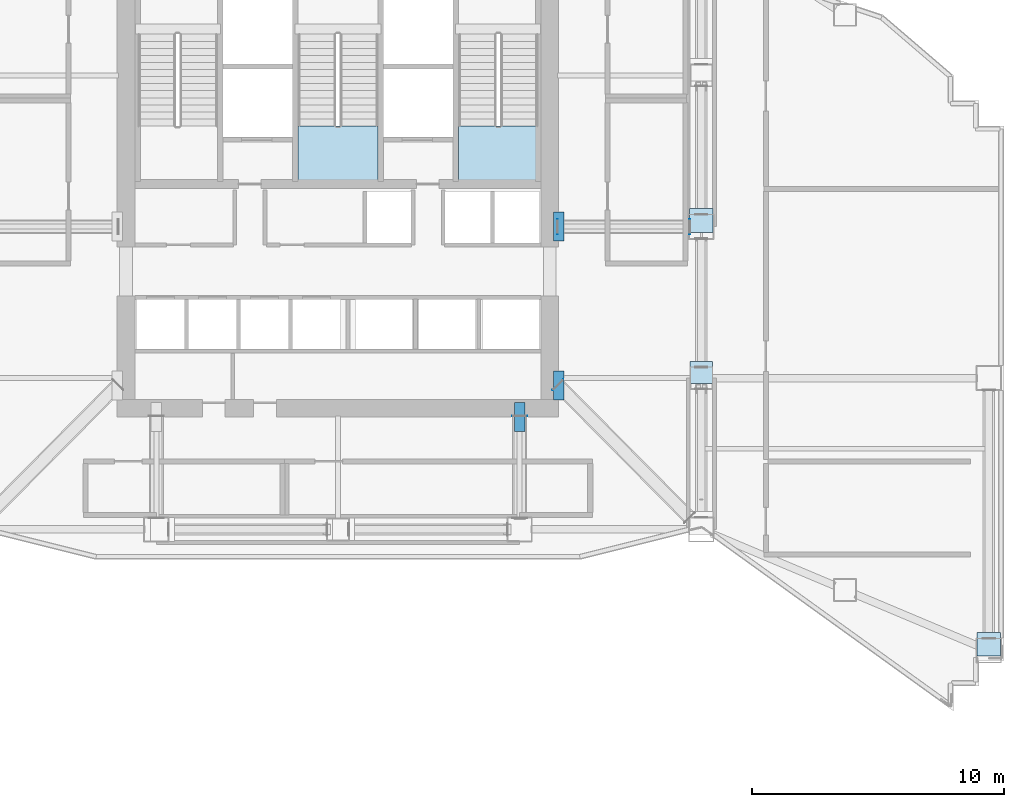
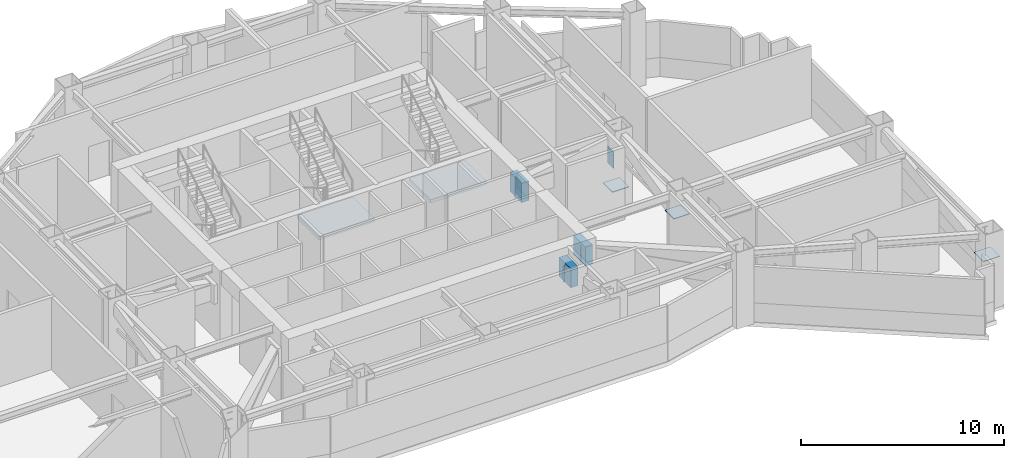
# One storey, part 6 of 24: 10 plates, 2 slabs, 2 elements without a shape of their own.
"""IFC4 building model written with IfcOpenShell, lengths in metres."""

import ifcopenshell
import ifcopenshell.guid

model = None  # the IFC model being written
_history = None  # IfcOwnerHistory: only IFC2X3 demands one
_inside = {}  # id of a spatial element -> (the spatial element, [elements in it])
_under = {}  # id of a project, library or spatial element -> (it, [spatial elements below it])
_declared = {}  # id of a project -> (the project, [libraries it declares])
_typed = {}  # id of a type object -> (the type object, [elements of that type])
_made_of = {}  # id of a material, layer set ... -> (it, [elements and type objects made of it])


def new_model(schema):
    """Start an empty IFC model of exactly this schema.

    Asked for "IFC4X3", IfcOpenShell would pick the latest addendum, in which some entities
    have other attributes; the version numbers below select the first issue.
    IFC2X3 requires an IfcOwnerHistory on every rooted entity: one is made here for all.
    """
    global model, _history
    if schema == "IFC4X3":
        model = ifcopenshell.file(schema_version=(4, 3, 0, 0))
    else:
        model = ifcopenshell.file(schema=schema)
    _inside.clear()
    _under.clear()
    _declared.clear()
    _typed.clear()
    _made_of.clear()
    _history = None
    if model.schema == "IFC2X3":
        org = make("IfcOrganization", Name="unknown")
        user = make(
            "IfcPersonAndOrganization",
            ThePerson=make("IfcPerson", FamilyName="unknown"),
            TheOrganization=org,
        )
        app = make(
            "IfcApplication",
            ApplicationDeveloper=org,
            Version="unknown",
            ApplicationFullName="unknown",
            ApplicationIdentifier="unknown",
        )
        _history = make(
            "IfcOwnerHistory",
            OwningUser=user,
            OwningApplication=app,
            ChangeAction="ADDED",
            CreationDate=0,
        )
    return model


def make(cls, **values):
    """One entity of the class cls with the attributes given. An attribute that is None is left unset."""
    return model.create_entity(
        cls, **{name: value for name, value in values.items() if value is not None}
    )


def rooted(cls, **values):
    """An entity with a GlobalId (a new one), such as an element, a storey or a relation."""
    return make(cls, GlobalId=ifcopenshell.guid.new(), OwnerHistory=_history, **values)


def si_unit(unit_type, name, prefix=None):
    """IfcSIUnit, for example si_unit("LENGTHUNIT", "METRE", prefix="MILLI")."""
    return make("IfcSIUnit", UnitType=unit_type, Prefix=prefix, Name=name)


def assignment(units):
    """IfcUnitAssignment: the units of a project."""
    return None if units is None else make("IfcUnitAssignment", Units=units)


def point(xyz):
    """IfcCartesianPoint."""
    return None if xyz is None else make("IfcCartesianPoint", Coordinates=xyz)


def direction(xyz):
    """IfcDirection."""
    return None if xyz is None else make("IfcDirection", DirectionRatios=xyz)


def frame(location, z_axis=None, x_axis=None):
    """IfcAxis2Placement3D, a coordinate frame: its origin and axes. An axis left out is left unset."""
    return make(
        "IfcAxis2Placement3D",
        Location=point(location),
        Axis=direction(z_axis),
        RefDirection=direction(x_axis),
    )


def frame_2d(location, x_axis=None):
    """IfcAxis2Placement2D, a coordinate frame in the plane: its origin and x axis."""
    return make(
        "IfcAxis2Placement2D", Location=point(location), RefDirection=direction(x_axis)
    )


def origin():
    """The frame at (0, 0, 0) with its axes left unset."""
    return frame((0.0, 0.0, 0.0))


def origin_2d():
    """The frame at (0, 0) in the plane with its x axis left unset."""
    return frame_2d((0.0, 0.0))


def place(relative_to, where):
    """IfcLocalPlacement: puts the frame where relative to a parent placement (None: the world)."""
    return make(
        "IfcLocalPlacement", PlacementRelTo=relative_to, RelativePlacement=where
    )


def context(
    kind, dimensions, precision=None, world=None, true_north=None, identifier=None
):
    """IfcGeometricRepresentationContext, for example the 3D "Model" context."""
    return make(
        "IfcGeometricRepresentationContext",
        ContextIdentifier=identifier,
        ContextType=kind,
        CoordinateSpaceDimension=dimensions,
        Precision=precision,
        WorldCoordinateSystem=world,
        TrueNorth=true_north,
    )


def subcontext(parent, identifier, kind, view, scale=None):
    """IfcGeometricRepresentationSubContext, for example "Body" below "Model"."""
    return make(
        "IfcGeometricRepresentationSubContext",
        ContextIdentifier=identifier,
        ContextType=kind,
        ParentContext=parent,
        TargetScale=scale,
        TargetView=view,
    )


def project(units=None, contexts=None):
    """IfcProject with its units and contexts."""
    return rooted(
        "IfcProject",
        Name="project",
        RepresentationContexts=contexts,
        UnitsInContext=assignment(units),
    )


def spatial(cls, under=None, at=None, **own):
    """A site, building, storey or space (cls), placed at a placement, below another one or the project."""
    s = rooted(cls, ObjectPlacement=at, **own)
    if under is not None:
        _under.setdefault(under.id(), (under, []))[1].append(s)
    return s


def polyline(points):
    """IfcPolyline through the points."""
    return make("IfcPolyline", Points=[point(p) for p in points])


def profile(cls, at=None, kind="AREA", **sizes):
    """A parametric profile (cls). Its sizes go by their IFC names, for example OverallWidth=200.0."""
    return make(cls, ProfileType=kind, Position=at, **sizes)


def rectangle(**sizes):
    """IfcRectangleProfileDef."""
    return profile("IfcRectangleProfileDef", **sizes)


def outline(outer, holes=None, kind="AREA"):
    """IfcArbitraryClosedProfileDef: a profile drawn as a closed curve; with holes, ...WithVoids."""
    if holes is None:
        return make("IfcArbitraryClosedProfileDef", ProfileType=kind, OuterCurve=outer)
    return make(
        "IfcArbitraryProfileDefWithVoids",
        ProfileType=kind,
        OuterCurve=outer,
        InnerCurves=holes,
    )


def extrude(swept, where, along, depth):
    """IfcExtrudedAreaSolid: the profile swept, set in the frame where, extruded along a direction by depth."""
    return make(
        "IfcExtrudedAreaSolid",
        SweptArea=swept,
        Position=where,
        ExtrudedDirection=direction(along),
        Depth=depth,
    )


def shape(context_of_items, identifier, shape_type, items):
    """IfcShapeRepresentation: the items that make up one representation, for example the "Body"."""
    return make(
        "IfcShapeRepresentation",
        ContextOfItems=context_of_items,
        RepresentationIdentifier=identifier,
        RepresentationType=shape_type,
        Items=items,
    )


def material(Name=None, Category=None):
    """IfcMaterial."""
    return make("IfcMaterial", Name=Name, Category=Category)


def layer(
    of_material, thickness, ventilated=None, Name=None, Category=None, Priority=None
):
    """IfcMaterialLayer: one layer of a wall or slab, of a material (None: an air gap)."""
    return make(
        "IfcMaterialLayer",
        Material=of_material,
        LayerThickness=thickness,
        IsVentilated=ventilated,
        Name=Name,
        Category=Category,
        Priority=Priority,
    )


def layer_set(layers, Name=None):
    """IfcMaterialLayerSet."""
    return make("IfcMaterialLayerSet", MaterialLayers=layers, LayerSetName=Name)


def made_of(thing, what):
    """Note that an element or type object is made of a material, layer set ...; save() writes the relation."""
    if what is not None:
        _made_of.setdefault(what.id(), (what, []))[1].append(thing)
    return thing


def type_object(cls, material=None, **own):
    """A type object (cls), such as IfcWallType, which elements share."""
    return made_of(rooted(cls, **own), material)


def element(
    cls,
    number,
    at=None,
    inside=None,
    cuts=None,
    type_object=None,
    material=None,
    context=None,
    identifier="Body",
    shape_type=None,
    held_by="IfcProductDefinitionShape",
    body=None,
    shapes=None,
    **own,
):
    """One element of the class cls, such as IfcWall. Its Tag is "e" and its number.

    at: its placement. inside: the storey or other place that contains it. cuts: it is an
    opening in that element (IfcRelVoidsElement). A single representation is given by context,
    identifier, shape_type and body (its items); several are given by shapes. held_by: the class
    of the entity that holds the representations. save() writes the other relations.
    """
    e = rooted(cls, Tag="e%d" % number, ObjectPlacement=at, **own)
    if body is not None:
        shapes = [shape(context, identifier, shape_type, body)]
    if shapes is not None:
        e.Representation = make(held_by, Representations=shapes)
    if inside is not None:
        _inside.setdefault(inside.id(), (inside, []))[1].append(e)
    if cuts is not None:
        rooted(
            "IfcRelVoidsElement", RelatingBuildingElement=cuts, RelatedOpeningElement=e
        )
    if type_object is not None:
        _typed.setdefault(type_object.id(), (type_object, []))[1].append(e)
    return made_of(e, material)


def aggregate(whole, parts):
    """IfcRelAggregates: a whole, such as a stair, and the parts it consists of."""
    return rooted("IfcRelAggregates", RelatingObject=whole, RelatedObjects=parts)


def save(model, path):
    """Write the relations noted so far, then the file.

    IfcRelAggregates (storeys below a building ...), IfcRelContainedInSpatialStructure (elements
    in a storey), IfcRelDefinesByType, IfcRelAssociatesMaterial and IfcRelDeclares: one each for
    every whole, place, type object, material and project.
    """
    for whole, parts in _under.values():
        aggregate(whole, parts)
    for where, things in _inside.values():
        rooted(
            "IfcRelContainedInSpatialStructure",
            RelatedElements=things,
            RelatingStructure=where,
        )
    for kind, things in _typed.values():
        rooted("IfcRelDefinesByType", RelatedObjects=things, RelatingType=kind)
    for what, things in _made_of.values():
        rooted("IfcRelAssociatesMaterial", RelatedObjects=things, RelatingMaterial=what)
    for by, libraries in _declared.values():
        rooted("IfcRelDeclares", RelatingContext=by, RelatedDefinitions=libraries)
    model.write(path)


model = new_model("IFC4")

# Units and contexts
model_context = context("Model", 3, precision=1e-05, world=origin(), true_north=direction((0.0, 1.0)))
body_context = subcontext(model_context, "Body", "Model", "MODEL_VIEW")
ifc_project = project(units=[si_unit("LENGTHUNIT", "METRE"), si_unit("AREAUNIT", "SQUARE_METRE"), si_unit("VOLUMEUNIT", "CUBIC_METRE"), si_unit("PLANEANGLEUNIT", "RADIAN"), si_unit("MASSUNIT", "GRAM", prefix="KILO")], contexts=[model_context])

# Site, building, storey
site_placement = place(None, origin())
site = spatial("IfcSite", under=ifc_project, at=site_placement, CompositionType="ELEMENT")
building_placement = place(site_placement, origin())
building = spatial("IfcBuilding", under=site, at=building_placement, Name="Haolan Belvedere Tower", CompositionType="ELEMENT")
storey_placement = place(building_placement, frame((0.0, 0.0, 160.0)))
storey = spatial("IfcBuildingStorey", under=building, at=storey_placement, Name="L40", CompositionType="ELEMENT", Elevation=160.0)

# Plates
ifc_material_1 = material(Name="Steel Q355B", Category="steel")
ifc_layer_1 = layer(ifc_material_1, 0.02490234375, Name="Steel Q355B")
ifc_layer_set_1 = layer_set([ifc_layer_1], Name="Steel Q355B")
plate_type_1 = type_object("IfcPlateType", Name="PL-CAP-25", PredefinedType="SHEET", material=ifc_layer_set_1)
for number, where, z_axis, x_axis, name in (
    (1, (47.107421875, 33.60009765625, 2.27490234375), (0.0, 0.0, 1.0), (0.0, -1.0, 0.0), "Hollow steel end-cap plate OR-E1-L40-BC-CAP0"),
    (2, (52.342529296875, 33.60009765625, 2.27490234375), (0.0, 0.0, 1.0), (0.0, 1.0, 0.0), "Hollow steel end-cap plate OR-E1-L40-BC-CAP1"),
    (3, (47.1201171875, 27.330078125, 2.27490234375), (0.0, 0.0, 1.0), (-0.71020994994, -0.703989933881, 0.0), "Hollow steel end-cap plate OR-E2-L40-BC-CAP0"),
    (4, (45.60009765625, 26.092529296875, 2.27490234375), (0.0, 0.0, 1.0), (-1.0, 0.0, 0.0), "Hollow steel end-cap plate OR-S2-L40-BC-CAP0"),
):
    element("IfcPlate", number, at=place(storey_placement, frame(where, z_axis=z_axis, x_axis=x_axis)), inside=storey, type_object=plate_type_1, Name=name, PredefinedType="SHEET", context=body_context, shape_type="SweptSolid", body=[
        extrude(rectangle(XDim=0.590087890625, YDim=0.02490234375, at=origin_2d()), origin(), (0.0, 0.0, 1.0), 1.010009765625),
    ])
ifc_material_2 = material(Name="Steel Q420GJC", Category="steel")
ifc_layer_2 = layer(ifc_material_2, 0.0400390625, Name="Steel Q420GJC")
ifc_layer_set_2 = layer_set([ifc_layer_2], Name="Steel Q420GJC")
plate_type_2 = type_object("IfcPlateType", Name="PL-NODE-NP02", PredefinedType="USERDEFINED", material=ifc_layer_set_2)
for number, where, z_axis, x_axis, name in (
    (5, (47.14990234375, 33.60009765625, 2.275146484375), (0.0, 0.0, 1.0), (1.0, 0.0, 0.0), "NP-02 outrigger truss core-wall cast-in node plate L40 OR-E1"),
    (6, (47.14990234375, 27.300048828125, 2.275146484375), (0.0, 0.0, 1.0), (1.0, 0.0, 0.0), "NP-02 outrigger truss core-wall cast-in node plate L40 OR-E2"),
    (7, (45.60009765625, 26.050048828125, 2.275146484375), (0.0, 0.0, 1.0), (1.0, 0.0, 0.0), "NP-02 outrigger truss core-wall cast-in node plate L40 OR-S2"),
):
    element("IfcPlate", number, at=place(storey_placement, frame(where, z_axis=z_axis, x_axis=x_axis)), inside=storey, type_object=plate_type_2, Name=name, ObjectType="GUSSET", PredefinedType="USERDEFINED", context=body_context, shape_type="SweptSolid", body=[
        extrude(rectangle(XDim=0.419921875, YDim=1.14990234375, at=origin_2d()), origin(), (0.0, 0.0, 1.0), 1.14990234375),
    ])
ifc_material_3 = material(Name="Steel Q390GJC", Category="steel")
ifc_layer_3 = layer(ifc_material_3, 0.035888671875, Name="Steel Q390GJC")
ifc_layer_set_3 = layer_set([ifc_layer_3], Name="Steel Q390GJC")
plate_type_3 = type_object("IfcPlateType", Name="PL-NODE-NP03", PredefinedType="USERDEFINED", material=ifc_layer_set_3)
plate_placement = place(storey_placement, frame((52.800048828125, 27.820068359375, 2.80224609375), z_axis=(0.0, 0.0, 1.0), x_axis=(1.0, 0.0, 0.0)))
element("IfcPlate", 8, at=plate_placement, inside=storey, type_object=plate_type_3, Name="NP-03 belt truss node plate L40 BT-E2", ObjectType="GUSSET", PredefinedType="USERDEFINED", context=body_context, shape_type="SweptSolid", body=[
    extrude(rectangle(XDim=0.889892578125, YDim=0.889892578125, at=origin_2d()), origin(), (0.0, 0.0, 1.0), 0.035888671875),
])
for number, where, z_axis, x_axis, name in (
    (9, (52.800048828125, 33.844970703125, 0.7822265625), (0.0, 0.0, 1.0), (1.0, 0.0, 0.0), "NP-03 belt truss node plate L40 BT-E3"),
    (10, (64.199951171875, 17.044921875, 2.80224609375), (0.0, 0.0, 1.0), (1.0, 0.0, 0.0), "NP-03 belt truss node plate L40 BT-T4"),
):
    element("IfcPlate", number, at=place(storey_placement, frame(where, z_axis=z_axis, x_axis=x_axis)), inside=storey, type_object=plate_type_3, Name=name, ObjectType="GUSSET", PredefinedType="USERDEFINED", context=body_context, shape_type="SweptSolid", body=[
        extrude(rectangle(XDim=0.93994140625, YDim=0.93994140625, at=origin_2d()), origin(), (0.0, 0.0, 1.0), 0.035888671875),
    ])

# Stair, slab
ifc_material_4 = material(Name="Concrete C40/50", Category="concrete")
stair_type = type_object("IfcStairType", Name="STR-DL-28R-164", PredefinedType="HALF_TURN_STAIR", material=ifc_material_4)
stair_1_placement = place(storey_placement, origin())
stair_1 = element("IfcStair", 11, at=stair_1_placement, inside=storey, type_object=stair_type, Name="L40 Smokeproof Core Exit Stair ST3", PredefinedType="HALF_TURN_STAIR")
ifc_layer_4 = layer(ifc_material_4, 0.199951171875, Name="Concrete C40/50")
ifc_layer_set_4 = layer_set([ifc_layer_4], Name="Concrete C40/50")
slab_type = type_object("IfcSlabType", Name="SL-LAND-200", PredefinedType="LANDING", material=ifc_layer_set_4)
slab_1_placement = place(storey_placement, frame((0.0, 0.0, 2.10009765625)))
slab_1 = element("IfcSlab", 12, at=slab_1_placement, type_object=slab_type, Name="ST3 landing 1", PredefinedType="LANDING", context=body_context, shape_type="SweptSolid", body=[
    extrude(outline(polyline([(36.81005859375, 37.590087890625), (36.81005859375, 35.449951171875), (39.989990234375, 35.449951171875), (39.989990234375, 37.590087890625), (36.81005859375, 37.590087890625)])), origin(), (0.0, 0.0, 1.0), 0.199951171875),
])
aggregate(stair_1, [slab_1])

stair_2_placement = place(storey_placement, origin())
stair_2 = element("IfcStair", 13, at=stair_2_placement, inside=storey, type_object=stair_type, Name="L40 Smokeproof Core Exit Stair ST2", PredefinedType="HALF_TURN_STAIR")
slab_2_placement = place(storey_placement, frame((0.0, 0.0, 2.10009765625)))
slab_2 = element("IfcSlab", 14, at=slab_2_placement, type_object=slab_type, Name="ST2 landing 1", PredefinedType="LANDING", context=body_context, shape_type="SweptSolid", body=[
    extrude(outline(polyline([(43.169921875, 37.590087890625), (43.169921875, 35.449951171875), (46.35009765625, 35.449951171875), (46.35009765625, 37.590087890625), (43.169921875, 37.590087890625)])), origin(), (0.0, 0.0, 1.0), 0.199951171875),
])
aggregate(stair_2, [slab_2])

save(model, "model.ifc")
